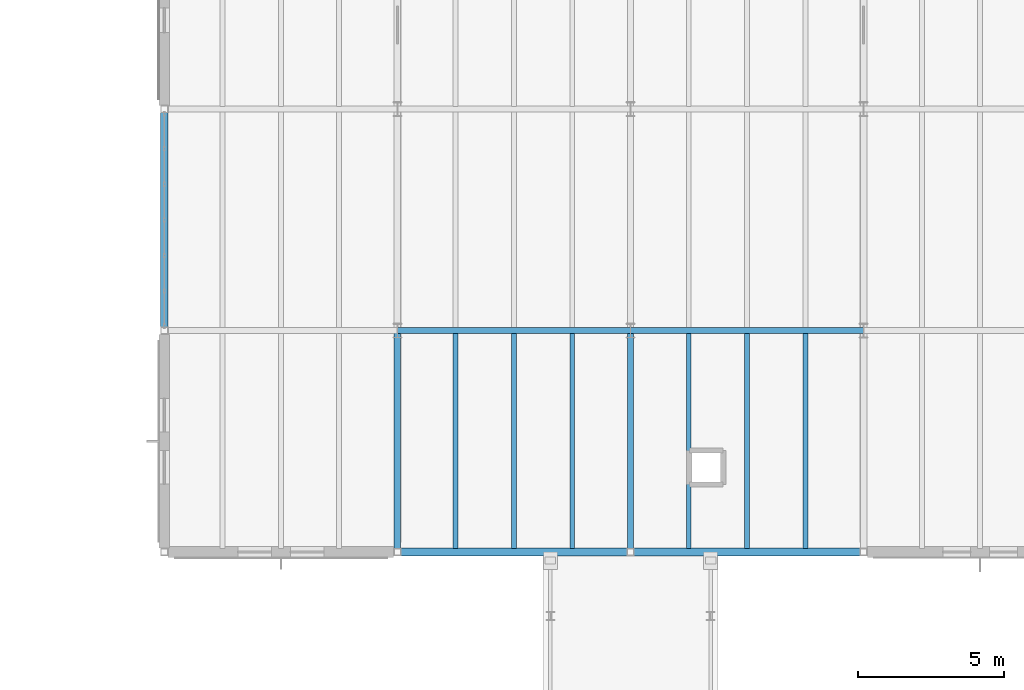
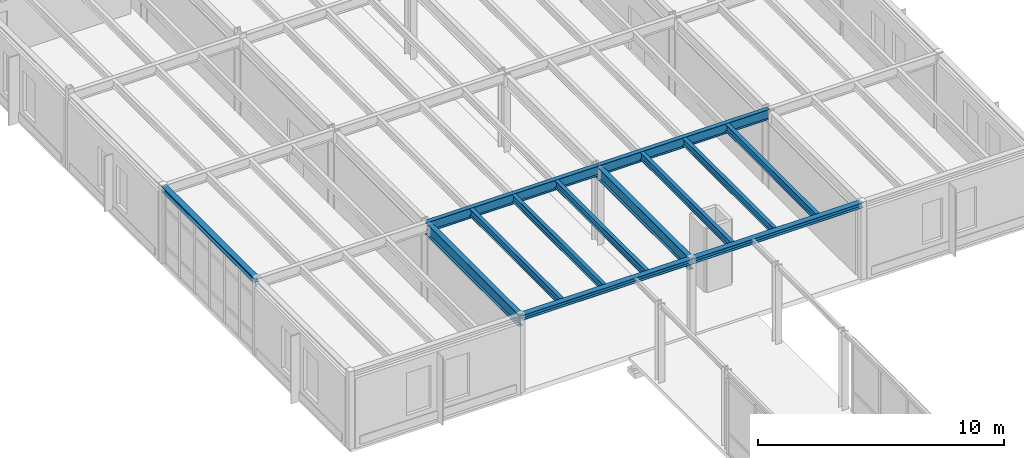
# One storey, part 134 of 189: 13 beams.
"""IFC4 building model written with IfcOpenShell, lengths in metres."""

from ifc_helpers import new_model, si_unit, direction, frame, origin, origin_2d, place, context, subcontext, project, spatial, i_section, extrude, material, material_profile, profile_set, type_object, element, save


model = new_model("IFC4")

# Units and contexts
model_context = context("Model", 3, precision=1e-05, world=origin(), true_north=direction((0.0, 1.0)))
body_context = subcontext(model_context, "Body", "Model", "MODEL_VIEW")
ifc_project = project(units=[si_unit("LENGTHUNIT", "METRE"), si_unit("AREAUNIT", "SQUARE_METRE"), si_unit("VOLUMEUNIT", "CUBIC_METRE"), si_unit("PLANEANGLEUNIT", "RADIAN"), si_unit("MASSUNIT", "GRAM", prefix="KILO")], contexts=[model_context])

# Site, building, storey
site_placement = place(None, origin())
site = spatial("IfcSite", under=ifc_project, at=site_placement, CompositionType="ELEMENT")
building_placement = place(site_placement, origin())
building = spatial("IfcBuilding", under=site, at=building_placement, Name="Montecoro Central Library", CompositionType="ELEMENT")
storey_placement = place(building_placement, frame((0.0, 0.0, 9.179931640625)))
storey = spatial("IfcBuildingStorey", under=building, at=storey_placement, Name="L02", CompositionType="ELEMENT", Elevation=9.179931640625)

# Beams
ifc_material_1 = material(Name="Steel S355", Category="steel")
ifc_material_profile_1 = material_profile(ifc_material_1, i_section(OverallWidth=0.199951171875, OverallDepth=0.5, WebThickness=0.01025390625, FlangeThickness=0.01611328125, at=origin_2d()), Name="IPE 500")
ifc_profile_set_1 = profile_set([ifc_material_profile_1], Name="Steel S355")
beam_type_1 = type_object("IfcBeamType", Name="BM-G-IPE500", PredefinedType="USERDEFINED", material=ifc_profile_set_1)
for number, where, z_axis, x_axis, name in (
    (1, (149.0048828125, 81.0, 3.565185546875), (1.0, 0.0, 0.0), (0.0, 1.0, 0.0), "V5-L02-BX-1920-L"),
    (2, (157.0048828125, 81.0, 3.565185546875), (1.0, 0.0, 0.0), (0.0, 1.0, 0.0), "V5-L02-BX-2021-L"),
):
    element("IfcBeam", number, at=place(storey_placement, frame(where, z_axis=z_axis, x_axis=x_axis)), inside=storey, type_object=beam_type_1, Name=name, ObjectType="GIRDER", PredefinedType="USERDEFINED", context=body_context, shape_type="SweptSolid", body=[
        extrude(i_section(OverallWidth=0.199951171875, OverallDepth=0.5, WebThickness=0.01025390625, FlangeThickness=0.01611328125, at=origin_2d()), origin(), (0.0, 0.0, 1.0), 7.990234375),
    ])
ifc_material_2 = material(Name="Steel S355J2", Category="steel")
ifc_material_profile_2 = material_profile(ifc_material_2, i_section(OverallWidth=0.219970703125, OverallDepth=0.60009765625, WebThickness=0.011962890625, FlangeThickness=0.01904296875, at=origin_2d()), Name="IPE 600")
ifc_profile_set_2 = profile_set([ifc_material_profile_2], Name="Steel S355J2")
beam_type_2 = type_object("IfcBeamType", Name="BM-G-IPE600", PredefinedType="USERDEFINED", material=ifc_profile_set_2)
for number, where, z_axis, x_axis, name in (
    (3, (149.0, 73.405029296875, 3.51513671875), (0.0, 1.0, 0.0), (-1.0, 0.0, 0.0), "V5-L02-BY-19-KL"),
    (4, (157.0, 73.405029296875, 3.51513671875), (0.0, 1.0, 0.0), (-1.0, 0.0, 0.0), "V5-L02-BY-20-KL"),
):
    element("IfcBeam", number, at=place(storey_placement, frame(where, z_axis=z_axis, x_axis=x_axis)), inside=storey, type_object=beam_type_2, Name=name, ObjectType="GIRDER", PredefinedType="USERDEFINED", context=body_context, shape_type="SweptSolid", body=[
        extrude(i_section(OverallWidth=0.219970703125, OverallDepth=0.60009765625, WebThickness=0.011962890625, FlangeThickness=0.01904296875, at=origin_2d()), origin(), (0.0, 0.0, 1.0), 7.590087890625),
    ])
ifc_material_profile_3 = material_profile(ifc_material_1, i_section(OverallWidth=0.169921875, OverallDepth=0.360107421875, WebThickness=0.008056640625, FlangeThickness=0.0126953125, at=origin_2d()), Name="IPE 360")
ifc_profile_set_3 = profile_set([ifc_material_profile_3], Name="Steel S355")
beam_type_3 = type_object("IfcBeamType", Name="BM-J-IPE360", PredefinedType="JOIST", material=ifc_profile_set_3)
for number, where, z_axis, x_axis, name in (
    (5, (151.0, 73.527099609375, 3.635009765625), (0.0, 1.0, 0.0), (-1.0, 0.0, 0.0), "V5-L02-JS-1920-KL-1"),
    (6, (153.0, 73.527099609375, 3.635009765625), (0.0, 1.0, 0.0), (-1.0, 0.0, 0.0), "V5-L02-JS-1920-KL-2"),
    (7, (155.0, 73.527099609375, 3.635009765625), (0.0, 1.0, 0.0), (-1.0, 0.0, 0.0), "V5-L02-JS-1920-KL-3"),
    (8, (159.0, 73.527099609375, 3.635009765625), (0.0, 1.0, 0.0), (-1.0, 0.0, 0.0), "V5-L02-JS-2021-KL-1"),
    (9, (161.0, 73.527099609375, 3.635009765625), (0.0, 1.0, 0.0), (-1.0, 0.0, 0.0), "V5-L02-JS-2021-KL-2"),
    (10, (163.0, 73.527099609375, 3.635009765625), (0.0, 1.0, 0.0), (-1.0, 0.0, 0.0), "V5-L02-JS-2021-KL-3"),
):
    element("IfcBeam", number, at=place(storey_placement, frame(where, z_axis=z_axis, x_axis=x_axis)), inside=storey, type_object=beam_type_3, Name=name, PredefinedType="JOIST", context=body_context, shape_type="SweptSolid", body=[
        extrude(i_section(OverallWidth=0.169921875, OverallDepth=0.360107421875, WebThickness=0.008056640625, FlangeThickness=0.0126953125, at=origin_2d()), origin(), (0.0, 0.0, 1.0), 7.3759765625),
    ])
ifc_material_profile_4 = material_profile(ifc_material_1, i_section(OverallWidth=0.260009765625, OverallDepth=0.25, WebThickness=0.007568359375, FlangeThickness=0.012451171875, at=origin_2d()), Name="HEA 260")
ifc_profile_set_4 = profile_set([ifc_material_profile_4], Name="Steel S355")
beam_type_4 = type_object("IfcBeamType", Name="BM-SP-HEA260", PredefinedType="SPANDREL", material=ifc_profile_set_4)
for number, where, z_axis, x_axis, name in (
    (11, (149.0048828125, 73.39990234375, 3.690185546875), (1.0, 0.0, 0.0), (0.0, 1.0, 0.0), "V5-L02-BX-1920-K"),
    (12, (157.0048828125, 73.39990234375, 3.690185546875), (1.0, 0.0, 0.0), (0.0, 1.0, 0.0), "V5-L02-BX-2021-K"),
):
    element("IfcBeam", number, at=place(storey_placement, frame(where, z_axis=z_axis, x_axis=x_axis)), inside=storey, type_object=beam_type_4, Name=name, PredefinedType="SPANDREL", context=body_context, shape_type="SweptSolid", body=[
        extrude(i_section(OverallWidth=0.260009765625, OverallDepth=0.25, WebThickness=0.007568359375, FlangeThickness=0.012451171875, at=origin_2d()), origin(), (0.0, 0.0, 1.0), 7.990234375),
    ])
beam_placement = place(storey_placement, frame((141.0, 81.0048828125, 3.690185546875), z_axis=(0.0, 1.0, 0.0), x_axis=(-1.0, 0.0, 0.0)))
element("IfcBeam", 13, at=beam_placement, inside=storey, type_object=beam_type_4, Name="V5-L02-BY-18-LM", PredefinedType="SPANDREL", context=body_context, shape_type="SweptSolid", body=[
    extrude(i_section(OverallWidth=0.260009765625, OverallDepth=0.25, WebThickness=0.007568359375, FlangeThickness=0.012451171875, at=origin_2d()), origin(), (0.0, 0.0, 1.0), 7.590087890625),
])

save(model, "model.ifc")
